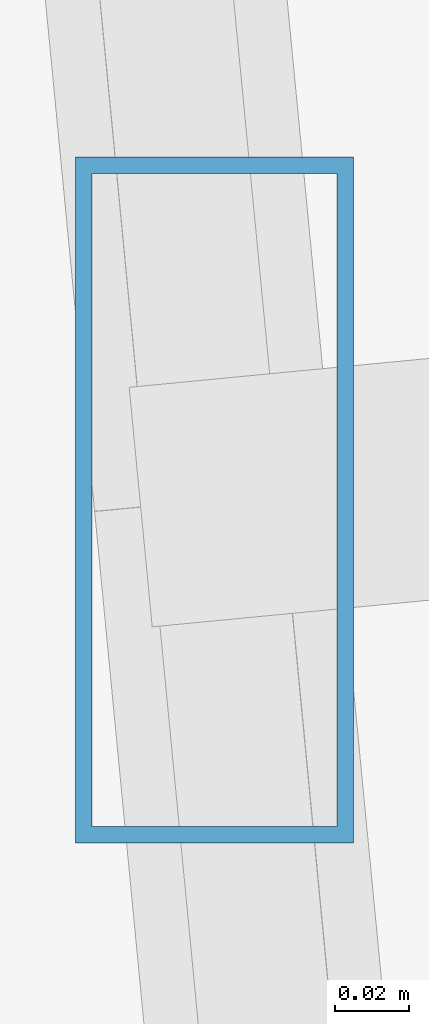
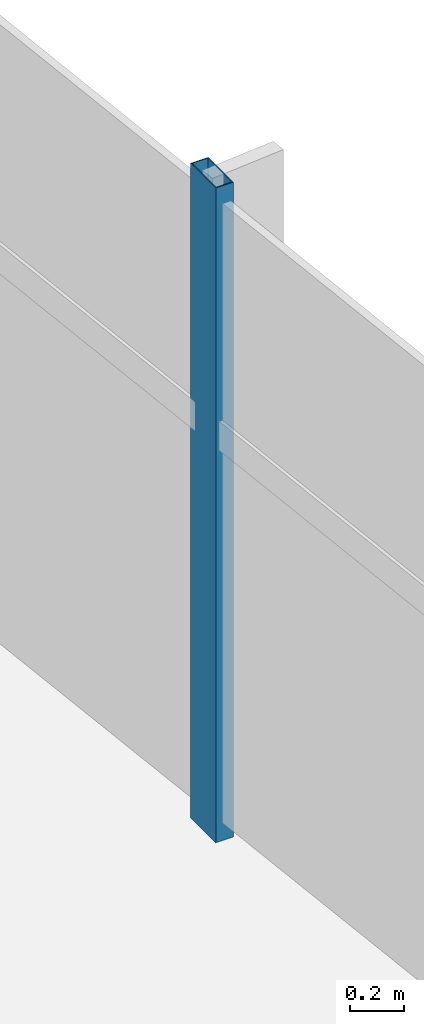
# One storey, part 16 of 27: 1 member, 1 element without a shape of its own.
"""IFC4 building model written with IfcOpenShell, lengths in metres."""

from ifc_helpers import new_model, si_unit, direction, frame, origin, origin_2d, place, context, subcontext, project, spatial, hollow_rectangle, extrude, source, transform, mapped, material, material_profile, profile_set, type_object, type_shapes, element, aggregate, save


model = new_model("IFC4")

# Units and contexts
model_context = context("Model", 3, precision=1e-05, world=origin(), true_north=direction((0.0, 1.0)))
body_context = subcontext(model_context, "Body", "Model", "MODEL_VIEW")
ifc_project = project(units=[si_unit("LENGTHUNIT", "METRE"), si_unit("AREAUNIT", "SQUARE_METRE"), si_unit("VOLUMEUNIT", "CUBIC_METRE"), si_unit("PLANEANGLEUNIT", "RADIAN"), si_unit("MASSUNIT", "GRAM", prefix="KILO")], contexts=[model_context])

# Site, building, storey
site_placement = place(None, origin())
site = spatial("IfcSite", under=ifc_project, at=site_placement, CompositionType="ELEMENT")
building_placement = place(site_placement, origin())
building = spatial("IfcBuilding", under=site, at=building_placement, Name="Astriad Promenade Condominiums", CompositionType="ELEMENT")
storey_placement = place(building_placement, frame((0.0, 0.0, 90.60009765625)))
storey = spatial("IfcBuildingStorey", under=building, at=storey_placement, Name="L25", CompositionType="ELEMENT", Elevation=90.60009765625)

# Curtain wall, member
ifc_material_1 = material(Name="Anodised aluminium Black Dark Glass Unitised", Category="aluminium")
curtain_wall_type = type_object("IfcCurtainWallType", Name="CW-B2-DARK", PredefinedType="USERDEFINED", material=ifc_material_1)
curtain_wall_placement = place(storey_placement, origin())
curtain_wall = element("IfcCurtainWall", 1, at=curtain_wall_placement, inside=storey, type_object=curtain_wall_type, Name="CW-L25-E", ObjectType="UNITISED_CURTAIN_WALL", PredefinedType="USERDEFINED")
ifc_material_2 = material(Name="Anodised aluminium 6063-T6 Black", Category="aluminium")
ifc_material_profile = material_profile(ifc_material_2, hollow_rectangle(XDim=0.074951171875, YDim=0.18505859375, WallThickness=0.00439453125, at=origin_2d()), Name="ALU-MUL-75X185")
ifc_profile_set = profile_set([ifc_material_profile], Name="Anodised aluminium 6063-T6 Black")
member_type = type_object("IfcMemberType", Name="MUL-ALU-MUL-75X185", PredefinedType="MULLION", material=ifc_profile_set)
shared_shape = source(origin(), body_context, "Body", "SweptSolid", [
    extrude(hollow_rectangle(XDim=0.074951171875, YDim=0.18505859375, WallThickness=0.00439453125, at=origin_2d()), origin(), (0.0, 0.0, 1.0), 2.93994140625),
])
type_shapes(member_type, [shared_shape])
member_placement = place(storey_placement, frame((68.972900390625, 16.6552734375, 0.0), z_axis=(0.0, 0.0, 1.0), x_axis=(1.0, 0.0, 0.0)))
member = element("IfcMember", 2, at=member_placement, type_object=member_type, Name="CW-L25-E-MUL-02", PredefinedType="MULLION", context=body_context, shape_type="MappedRepresentation", body=[
    mapped(shared_shape, transform((0.0, 0.0, 0.0), scale=1.0)),
])
aggregate(curtain_wall, [member])

save(model, "model.ifc")
